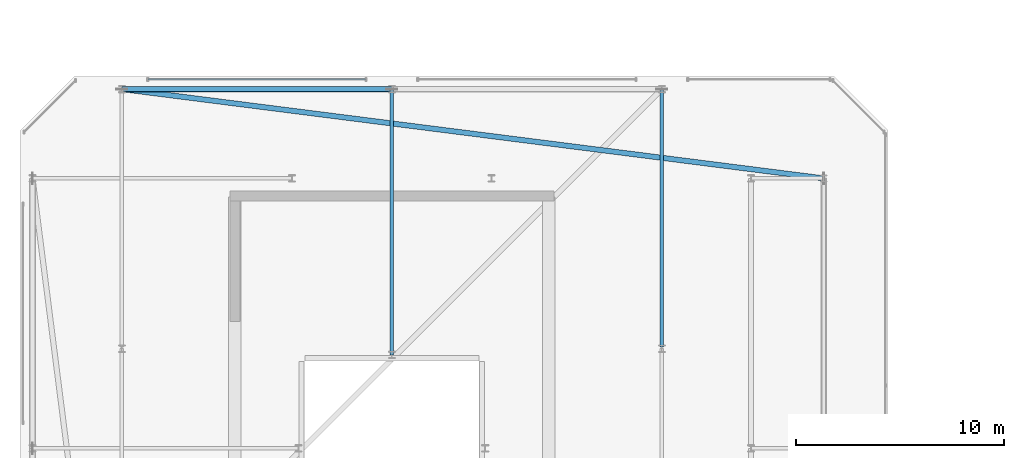
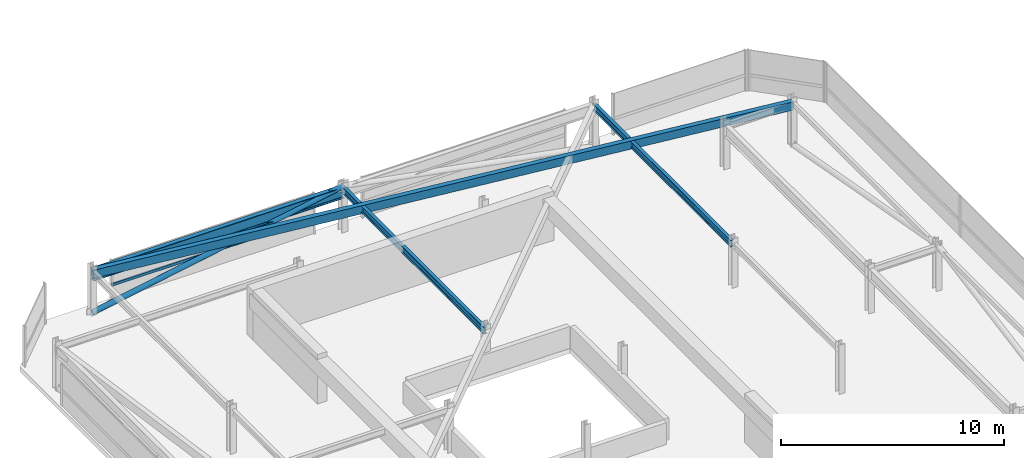
# One storey, part 23 of 42: 4 beams, 2 members, 1 element without a shape of its own.
"""IFC4 building model written with IfcOpenShell, lengths in metres."""

from ifc_helpers import new_model, si_unit, direction, frame, origin, origin_2d, place, context, subcontext, project, spatial, hollow_rectangle, hollow_circle, i_section, extrude, material, material_profile, profile_set, type_object, element, aggregate, save


model = new_model("IFC4")

# Units and contexts
model_context = context("Model", 3, precision=1e-05, world=origin(), true_north=direction((0.0, 1.0)))
body_context = subcontext(model_context, "Body", "Model", "MODEL_VIEW")
ifc_project = project(units=[si_unit("LENGTHUNIT", "METRE"), si_unit("AREAUNIT", "SQUARE_METRE"), si_unit("VOLUMEUNIT", "CUBIC_METRE"), si_unit("PLANEANGLEUNIT", "RADIAN"), si_unit("MASSUNIT", "GRAM", prefix="KILO")], contexts=[model_context])

# Site, building, storey
site_placement = place(None, origin())
site = spatial("IfcSite", under=ifc_project, at=site_placement, CompositionType="ELEMENT")
building_placement = place(site_placement, origin())
building = spatial("IfcBuilding", under=site, at=building_placement, Name="Thornwick Lancets Civic Towers", CompositionType="ELEMENT")
storey_placement = place(building_placement, frame((0.0, 0.0, 289.5)))
storey = spatial("IfcBuildingStorey", under=building, at=storey_placement, Name="C04", CompositionType="ELEMENT", Elevation=289.5)

# Beams
ifc_material_1 = material(Name="Steel S355JR", Category="steel")
ifc_material_profile_1 = material_profile(ifc_material_1, i_section(OverallWidth=0.230224609375, OverallDepth=0.6171875, WebThickness=0.01318359375, FlangeThickness=0.022216796875, FilletRadius=0.0126953125, at=origin_2d()), Name="UKB 610x229x140")
ifc_profile_set_1 = profile_set([ifc_material_profile_1], Name="Steel S355JR")
beam_type_1 = type_object("IfcBeamType", Name="BM_GIRD_610_140", PredefinedType="BEAM", material=ifc_profile_set_1)
beam_1_placement = place(storey_placement, frame((12.5, 44.300048828125, 2.13134765625), z_axis=(1.0, 0.0, 0.0), x_axis=(0.0, 1.0, 0.0)))
element("IfcBeam", 1, at=beam_1_placement, inside=storey, type_object=beam_type_1, Name="BM-SPINE-C04-A-6-7", PredefinedType="BEAM", context=body_context, shape_type="SweptSolid", body=[
    extrude(i_section(OverallWidth=0.230224609375, OverallDepth=0.6171875, WebThickness=0.01318359375, FlangeThickness=0.022216796875, FilletRadius=0.0126953125, at=origin_2d()), origin(), (0.0, 0.0, 1.0), 13.0),
])
ifc_material_profile_2 = material_profile(ifc_material_1, i_section(OverallWidth=0.173095703125, OverallDepth=0.36328125, WebThickness=0.009033203125, FlangeThickness=0.015625, FilletRadius=0.01025390625, at=origin_2d()), Name="UKB 356x171x67")
ifc_profile_set_2 = profile_set([ifc_material_profile_2], Name="Steel S355JR")
beam_type_2 = type_object("IfcBeamType", Name="BM_JOIST_356_67", PredefinedType="JOIST", material=ifc_profile_set_2)
beam_2_placement = place(storey_placement, frame((25.5, 31.5, 2.25830078125), z_axis=(0.0, 1.0, 0.0), x_axis=(-1.0, 0.0, 0.0)))
element("IfcBeam", 2, at=beam_2_placement, inside=storey, type_object=beam_type_2, Name="BM-RADIN-C04-A08", PredefinedType="JOIST", context=body_context, shape_type="SweptSolid", body=[
    extrude(i_section(OverallWidth=0.173095703125, OverallDepth=0.36328125, WebThickness=0.009033203125, FlangeThickness=0.015625, FilletRadius=0.01025390625, at=origin_2d()), origin(), (0.0, 0.0, 1.0), 12.800048828125),
])
beam_3_placement = place(storey_placement, frame((38.5, 31.8798828125, 2.25830078125), z_axis=(0.0, 1.0, 0.0), x_axis=(-1.0, 0.0, 0.0)))
element("IfcBeam", 3, at=beam_3_placement, inside=storey, type_object=beam_type_2, Name="BM-RADIN-C04-A09", PredefinedType="JOIST", context=body_context, shape_type="SweptSolid", body=[
    extrude(i_section(OverallWidth=0.173095703125, OverallDepth=0.36328125, WebThickness=0.009033203125, FlangeThickness=0.015625, FilletRadius=0.01025390625, at=origin_2d()), origin(), (0.0, 0.0, 1.0), 12.420166015625),
])
ifc_material_profile_3 = material_profile(ifc_material_1, hollow_rectangle(XDim=0.25, YDim=0.449951171875, WallThickness=0.01611328125, at=origin_2d()), Name="RHS 450x250x16")
ifc_profile_set_3 = profile_set([ifc_material_profile_3], Name="Steel S355JR")
beam_type_3 = type_object("IfcBeamType", Name="BM_RING_RHS450", PredefinedType="BEAM", material=ifc_profile_set_3)
beam_4_placement = place(storey_placement, frame((46.300048828125, 40.0, 2.215087890625), z_axis=(-0.992004437051, 0.126202998662, 0.0), x_axis=(-0.126202998662, -0.992004437051, 0.0)))
element("IfcBeam", 4, at=beam_4_placement, inside=storey, type_object=beam_type_3, Name="BM-CHAMF-C04-A-C1", PredefinedType="BEAM", context=body_context, shape_type="SweptSolid", body=[
    extrude(hollow_rectangle(XDim=0.25, YDim=0.449951171875, WallThickness=0.01611328125, at=origin_2d()), origin(), (0.0, 0.0, 1.0), 34.072509765625),
])

# Curtain wall, member
ifc_material_2 = material(Name="Crown ring acoustic-louvre and glazing screen wall", Category="glass")
curtain_wall_type = type_object("IfcCurtainWallType", Name="CW_SYS_07", PredefinedType="NOTDEFINED", material=ifc_material_2)
curtain_wall_placement = place(storey_placement, origin())
curtain_wall = element("IfcCurtainWall", 5, at=curtain_wall_placement, inside=storey, type_object=curtain_wall_type, Name="C04 Curtain Wall CW-C04-A-E4-S3", PredefinedType="NOTDEFINED")
ifc_material_3 = material(Name="Thermally broken bronze aluminium S355", Category="steel")
ifc_material_profile_4 = material_profile(ifc_material_3, hollow_rectangle(XDim=0.074951171875, YDim=0.14990234375, WallThickness=0.0048828125, at=origin_2d()), Name="RHS 150x75x5")
ifc_profile_set_4 = profile_set([ifc_material_profile_4], Name="Thermally broken bronze aluminium S355")
member_type_1 = type_object("IfcMemberType", Name="CW_TRN_150", PredefinedType="USERDEFINED", material=ifc_profile_set_4)
member_1_placement = place(storey_placement, frame((24.22998046875, 44.7646484375, 0.85009765625), z_axis=(-1.0, 0.0, 0.0), x_axis=(0.0, -1.0, 0.0)))
member_1 = element("IfcMember", 6, at=member_1_placement, type_object=member_type_1, Name="CW-C04-A-E4-S3 Transom 0", ObjectType="TRANSOM", PredefinedType="USERDEFINED", context=body_context, shape_type="SweptSolid", body=[
    extrude(hollow_rectangle(XDim=0.074951171875, YDim=0.14990234375, WallThickness=0.0048828125, at=origin_2d()), origin(), (0.0, 0.0, 1.0), 10.4599609375),
])
aggregate(curtain_wall, [member_1])

# Member
ifc_material_profile_5 = material_profile(ifc_material_1, hollow_circle(Radius=0.136474609375, WallThickness=0.012451171875, at=origin_2d()), Name="CHS 273x12.5")
ifc_profile_set_5 = profile_set([ifc_material_profile_5], Name="Steel S355JR")
member_type_2 = type_object("IfcMemberType", Name="MEM_CROWN_CHS273", PredefinedType="BRACE", material=ifc_profile_set_5)
member_2_placement = place(storey_placement, frame((12.5, 44.300048828125, 0.050048828125), z_axis=(0.98351842104, 0.0, 0.180807951915), x_axis=(0.0, 1.0, 0.0)))
element("IfcMember", 7, at=member_2_placement, inside=storey, type_object=member_type_2, Name="C04 Crown Ring Lancet Rib A-S2-L", PredefinedType="BRACE", context=body_context, shape_type="SweptSolid", body=[
    extrude(hollow_circle(Radius=0.136474609375, WallThickness=0.012451171875, at=origin_2d()), origin(), (0.0, 0.0, 1.0), 13.2177734375),
])

save(model, "model.ifc")
